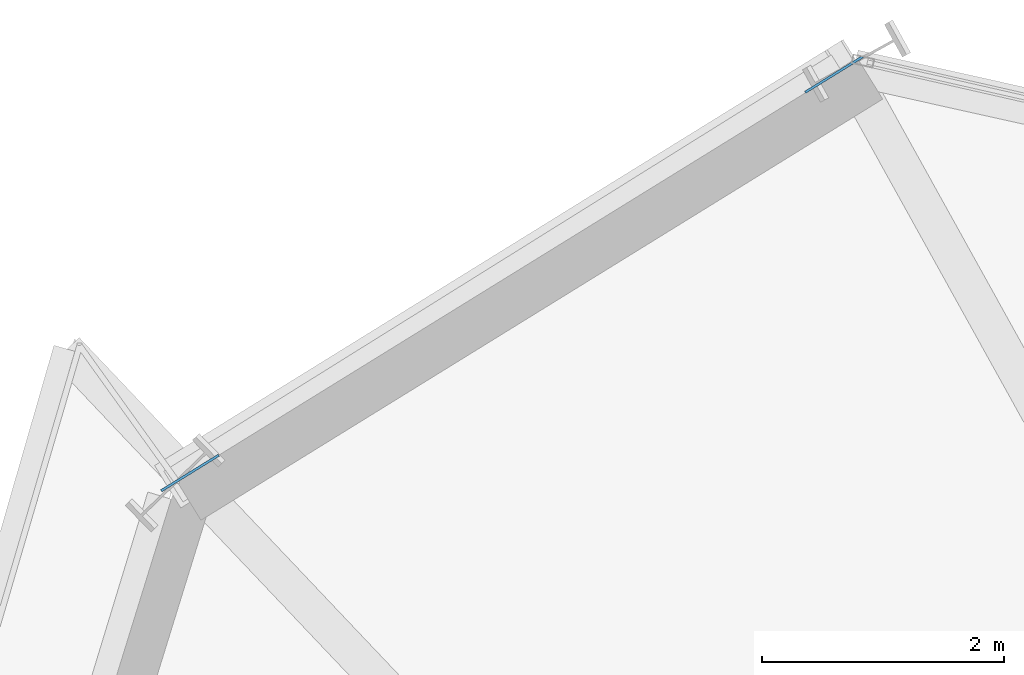
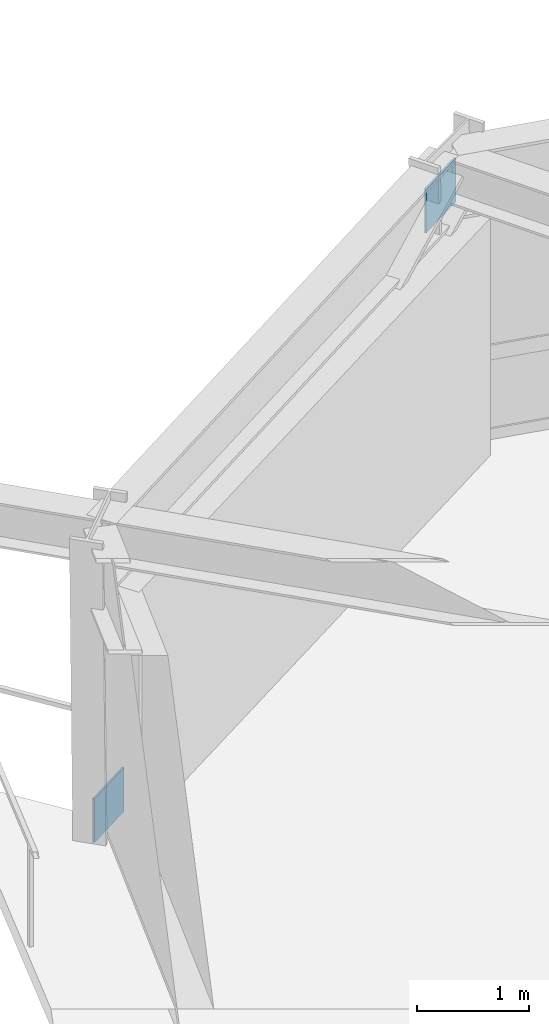
# One storey, part 15 of 23: 2 plates.
"""IFC4 building model written with IfcOpenShell, lengths in metres."""

from ifc_helpers import new_model, si_unit, direction, frame, origin, origin_2d, place, context, subcontext, project, spatial, rectangle, extrude, source, transform, mapped, material, type_object, element, save


model = new_model("IFC4")

# Units and contexts
model_context = context("Model", 3, precision=1e-05, world=origin(), true_north=direction((0.0, 1.0)))
body_context = subcontext(model_context, "Body", "Model", "MODEL_VIEW")
ifc_project = project(units=[si_unit("LENGTHUNIT", "METRE"), si_unit("AREAUNIT", "SQUARE_METRE"), si_unit("VOLUMEUNIT", "CUBIC_METRE"), si_unit("PLANEANGLEUNIT", "RADIAN"), si_unit("MASSUNIT", "GRAM", prefix="KILO")], contexts=[model_context])

# Site, building, storey
site_placement = place(None, origin())
site = spatial("IfcSite", under=ifc_project, at=site_placement, CompositionType="ELEMENT")
building_placement = place(site_placement, origin())
building = spatial("IfcBuilding", under=site, at=building_placement, Name="Olszyna Solenne Hotel", CompositionType="ELEMENT")
storey_placement = place(building_placement, frame((0.0, 0.0, 32.85009765625)))
storey = spatial("IfcBuildingStorey", under=building, at=storey_placement, Name="L07", CompositionType="ELEMENT", Elevation=32.85009765625)

# Plates
ifc_material = material(Name="Steel S355J2", Category="steel")
plate_type = type_object("IfcPlateType", Name="GP-ND2", PredefinedType="USERDEFINED", material=ifc_material)
shared_shape = source(origin(), body_context, "Body", "SweptSolid", [
    extrude(rectangle(XDim=0.56005859375, YDim=0.02001953125, at=origin_2d()), origin(), (0.0, 0.0, 1.0), 0.47998046875),
])
for number, where, z_axis, x_axis, name in (
    (1, (20.58740234375, 44.823486328125, -0.173095703125), (0.0, 0.0, 1.0), (0.850352224996, 0.526213923652, 0.0), "Brace end connection gusset plate GP-ND2 EP-BR-L07-2-1"),
    (2, (25.917236328125, 48.12158203125, 2.617919921875), (0.0, 0.0, 1.0), (0.850352224996, 0.526213923652, 0.0), "Brace end connection gusset plate GP-ND2 EP-BR-L07-2-2"),
):
    element("IfcPlate", number, at=place(storey_placement, frame(where, z_axis=z_axis, x_axis=x_axis)), inside=storey, type_object=plate_type, Name=name, ObjectType="GUSSET_PLATE", PredefinedType="USERDEFINED", context=body_context, shape_type="MappedRepresentation", body=[
        mapped(shared_shape, transform((0.0, 0.0, 0.0), x_axis=(1.0, 0.0, 0.0), y_axis=(0.0, 1.0, 0.0), z_axis=(0.0, 0.0, 1.0), scale=1.0)),
    ])

save(model, "model.ifc")
